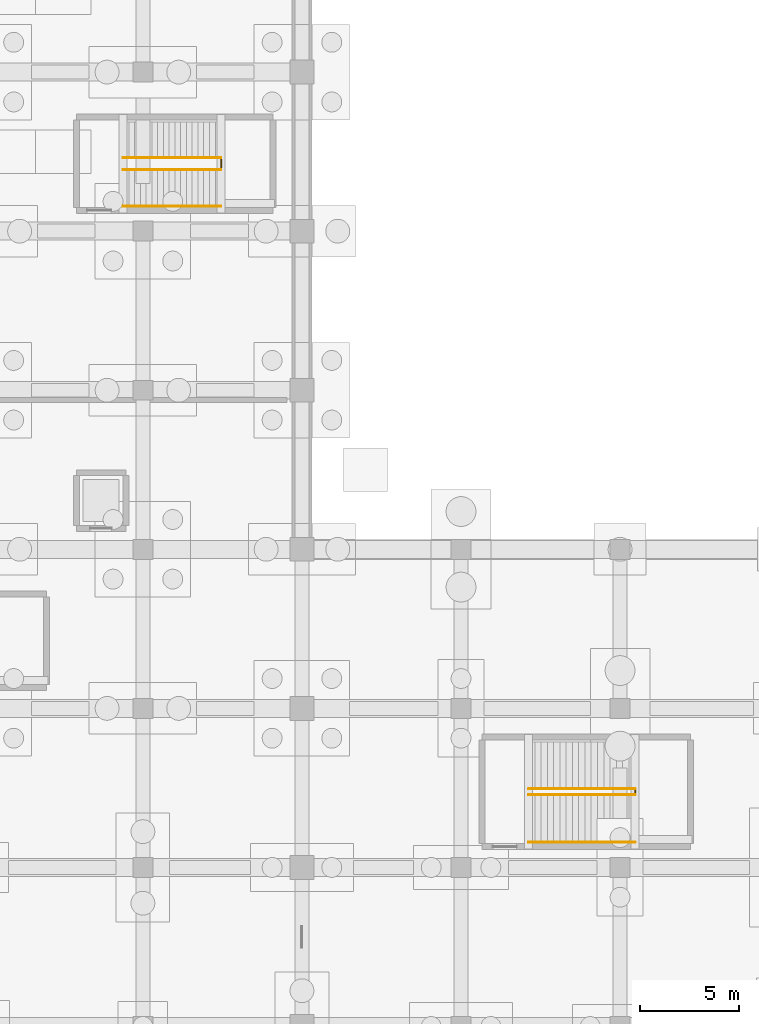
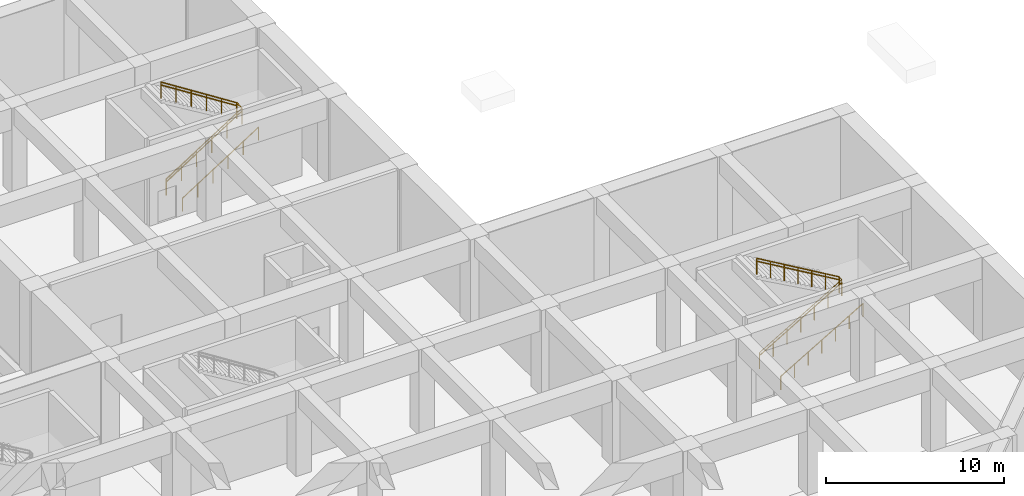
# One storey, part 25 of 26: 10 railings.
"""IFC4 building model written with IfcOpenShell, lengths in metres."""

from ifc_helpers import new_model, si_unit, direction, frame, origin, origin_2d, place, context, subcontext, project, spatial, circle, extrude, material, type_object, element, save


model = new_model("IFC4")

# Units and contexts
model_context = context("Model", 3, precision=1e-05, world=origin(), true_north=direction((0.0, 1.0)))
body_context = subcontext(model_context, "Body", "Model", "MODEL_VIEW")
ifc_project = project(units=[si_unit("LENGTHUNIT", "METRE"), si_unit("AREAUNIT", "SQUARE_METRE"), si_unit("VOLUMEUNIT", "CUBIC_METRE"), si_unit("PLANEANGLEUNIT", "RADIAN"), si_unit("MASSUNIT", "GRAM", prefix="KILO")], contexts=[model_context])

# Site, building, storey
site_placement = place(None, origin())
site = spatial("IfcSite", under=ifc_project, at=site_placement, CompositionType="ELEMENT")
building_placement = place(site_placement, origin())
building = spatial("IfcBuilding", under=site, at=building_placement, Name="Varnela Railside Interchange", CompositionType="ELEMENT")
storey_placement = place(building_placement, frame((0.0, 0.0, -12.60009765625)))
storey = spatial("IfcBuildingStorey", under=building, at=storey_placement, Name="B2", CompositionType="ELEMENT", Elevation=-12.60009765625)

# Railings
ifc_material = material(Name="Steel AR 350 (350 MPa)", Category="steel")
railing_type_1 = type_object("IfcRailingType", Name="Stair & Ramp Pitch Handrail HR-01", PredefinedType="HANDRAIL", material=ifc_material)
railing_1_placement = place(storey_placement, frame((131.0, 81.10009765625, 0.0)))
element("IfcRailing", 1, at=railing_1_placement, inside=storey, type_object=railing_type_1, Name="Stair Handrail ST-E2 Flight 1 (RL-0045)", PredefinedType="HANDRAIL", context=body_context, shape_type="SweptSolid", body=[
    extrude(circle(Radius=0.02392578125, at=origin_2d()), frame((0.0, 0.0, 0.89599609375), z_axis=(0.842659969685, 0.0, 0.538446074821), x_axis=(0.0, 1.0, 0.0)), (0.0, 0.0, 1.0), 5.850341796875),
    extrude(circle(Radius=0.02099609375, at=origin_2d()), origin(), (0.0, 0.0, 1.0), 0.871826171875),
    extrude(circle(Radius=0.02099609375, at=origin_2d()), frame((0.986083984375, 0.0, 0.630126953125)), (0.0, 0.0, 1.0), 0.871826171875),
    extrude(circle(Radius=0.02099609375, at=origin_2d()), frame((1.971923828125, 0.0, 1.260009765625)), (0.0, 0.0, 1.0), 0.871826171875),
    extrude(circle(Radius=0.02099609375, at=origin_2d()), frame((2.9580078125, 0.0, 1.89013671875)), (0.0, 0.0, 1.0), 0.871826171875),
    extrude(circle(Radius=0.02099609375, at=origin_2d()), frame((3.94384765625, 0.0, 2.52001953125)), (0.0, 0.0, 1.0), 0.871826171875),
    extrude(circle(Radius=0.02099609375, at=origin_2d()), frame((4.929931640625, 0.0, 3.150146484375)), (0.0, 0.0, 1.0), 0.871826171875),
])
railing_2_placement = place(storey_placement, frame((135.929931640625, 81.699951171875, 3.150146484375)))
element("IfcRailing", 2, at=railing_2_placement, inside=storey, type_object=railing_type_1, Name="Stair Handrail ST-E2 Flight 2 (RL-0046)", PredefinedType="HANDRAIL", context=body_context, shape_type="SweptSolid", body=[
    extrude(circle(Radius=0.02392578125, at=origin_2d()), frame((0.0, 0.0, 0.89599609375), z_axis=(-0.842678903752, 0.0, 0.538416442144), x_axis=(0.0, -1.0, 0.0)), (0.0, 0.0, 1.0), 5.850341796875),
    extrude(circle(Radius=0.02099609375, at=origin_2d()), origin(), (0.0, 0.0, 1.0), 0.871826171875),
    extrude(circle(Radius=0.02099609375, at=origin_2d()), frame((-0.986083984375, 0.0, 0.6298828125)), (0.0, 0.0, 1.0), 0.871826171875),
    extrude(circle(Radius=0.02099609375, at=origin_2d()), frame((-1.971923828125, 0.0, 1.260009765625)), (0.0, 0.0, 1.0), 0.871826171875),
    extrude(circle(Radius=0.02099609375, at=origin_2d()), frame((-2.9580078125, 0.0, 1.889892578125)), (0.0, 0.0, 1.0), 0.871826171875),
    extrude(circle(Radius=0.02099609375, at=origin_2d()), frame((-3.94384765625, 0.0, 2.52001953125)), (0.0, 0.0, 1.0), 0.871826171875),
    extrude(circle(Radius=0.02099609375, at=origin_2d()), frame((-4.929931640625, 0.0, 3.14990234375)), (0.0, 0.0, 1.0), 0.871826171875),
])
railing_3_placement = place(storey_placement, frame((151.39990234375, 49.64990234375, 0.0)))
element("IfcRailing", 3, at=railing_3_placement, inside=storey, type_object=railing_type_1, Name="Stair Handrail ST-E3 Flight 1 (RL-0047)", PredefinedType="HANDRAIL", context=body_context, shape_type="SweptSolid", body=[
    extrude(circle(Radius=0.02392578125, at=origin_2d()), frame((0.0, 0.0, 0.89599609375), z_axis=(0.861923102912, 0.0, 0.507039016908), x_axis=(0.0, 1.0, 0.0)), (0.0, 0.0, 1.0), 6.212890625),
    extrude(circle(Radius=0.02099609375, at=origin_2d()), origin(), (0.0, 0.0, 1.0), 0.871826171875),
    extrude(circle(Radius=0.02099609375, at=origin_2d()), frame((0.892578125, 0.0, 0.52490234375)), (0.0, 0.0, 1.0), 0.871826171875),
    extrude(circle(Radius=0.02099609375, at=origin_2d()), frame((1.784912109375, 0.0, 1.050048828125)), (0.0, 0.0, 1.0), 0.871826171875),
    extrude(circle(Radius=0.02099609375, at=origin_2d()), frame((2.677490234375, 0.0, 1.5751953125)), (0.0, 0.0, 1.0), 0.871826171875),
    extrude(circle(Radius=0.02099609375, at=origin_2d()), frame((3.570068359375, 0.0, 2.10009765625)), (0.0, 0.0, 1.0), 0.871826171875),
    extrude(circle(Radius=0.02099609375, at=origin_2d()), frame((4.46240234375, 0.0, 2.625)), (0.0, 0.0, 1.0), 0.871826171875),
    extrude(circle(Radius=0.02099609375, at=origin_2d()), frame((5.35498046875, 0.0, 3.150146484375)), (0.0, 0.0, 1.0), 0.871826171875),
])
railing_4_placement = place(storey_placement, frame((156.7548828125, 49.949951171875, 3.150146484375)))
element("IfcRailing", 4, at=railing_4_placement, inside=storey, type_object=railing_type_1, Name="Stair Handrail ST-E3 Flight 2 (RL-0048)", PredefinedType="HANDRAIL", context=body_context, shape_type="SweptSolid", body=[
    extrude(circle(Radius=0.02392578125, at=origin_2d()), frame((0.0, 0.0, 0.89599609375), z_axis=(-0.861940276329, 0.0, 0.507009822431), x_axis=(0.0, -1.0, 0.0)), (0.0, 0.0, 1.0), 6.212646484375),
    extrude(circle(Radius=0.02099609375, at=origin_2d()), origin(), (0.0, 0.0, 1.0), 0.871826171875),
    extrude(circle(Radius=0.02099609375, at=origin_2d()), frame((-0.892578125, 0.0, 0.52490234375)), (0.0, 0.0, 1.0), 0.871826171875),
    extrude(circle(Radius=0.02099609375, at=origin_2d()), frame((-1.784912109375, 0.0, 1.050048828125)), (0.0, 0.0, 1.0), 0.871826171875),
    extrude(circle(Radius=0.02099609375, at=origin_2d()), frame((-2.677490234375, 0.0, 1.574951171875)), (0.0, 0.0, 1.0), 0.871826171875),
    extrude(circle(Radius=0.02099609375, at=origin_2d()), frame((-3.570068359375, 0.0, 2.099853515625)), (0.0, 0.0, 1.0), 0.871826171875),
    extrude(circle(Radius=0.02099609375, at=origin_2d()), frame((-4.46240234375, 0.0, 2.625)), (0.0, 0.0, 1.0), 0.871826171875),
    extrude(circle(Radius=0.02099609375, at=origin_2d()), frame((-5.35498046875, 0.0, 3.14990234375)), (0.0, 0.0, 1.0), 0.871826171875),
])
railing_type_2 = type_object("IfcRailingType", Name="Stair Well & Landing Guard GR-02", PredefinedType="GUARDRAIL", material=ifc_material)
railing_5_placement = place(storey_placement, frame((131.0, 81.10009765625, 0.0)))
element("IfcRailing", 5, at=railing_5_placement, inside=storey, type_object=railing_type_2, Name="Stair Guard ST-E2 Half-Landing (RL-0011)", PredefinedType="GUARDRAIL", context=body_context, shape_type="SweptSolid", body=[
    extrude(circle(Radius=0.02392578125, at=origin_2d()), frame((0.0, 0.0, 1.09619140625), z_axis=(0.842659969685, 0.0, 0.538446074821), x_axis=(0.0, 1.0, 0.0)), (0.0, 0.0, 1.0), 5.850341796875),
    extrude(circle(Radius=0.02392578125, at=origin_2d()), frame((4.929931640625, 0.0, 4.24609375), z_axis=(0.0, 1.0, 0.0), x_axis=(-1.0, 0.0, 0.0)), (0.0, 0.0, 1.0), 0.599853515625),
    extrude(circle(Radius=0.02099609375, at=origin_2d()), origin(), (0.0, 0.0, 1.0), 1.072021484375),
    extrude(circle(Radius=0.02099609375, at=origin_2d()), frame((0.986083984375, 0.0, 0.630126953125)), (0.0, 0.0, 1.0), 1.072021484375),
    extrude(circle(Radius=0.02099609375, at=origin_2d()), frame((1.971923828125, 0.0, 1.260009765625)), (0.0, 0.0, 1.0), 1.072021484375),
    extrude(circle(Radius=0.02099609375, at=origin_2d()), frame((2.9580078125, 0.0, 1.89013671875)), (0.0, 0.0, 1.0), 1.072021484375),
    extrude(circle(Radius=0.02099609375, at=origin_2d()), frame((3.94384765625, 0.0, 2.52001953125)), (0.0, 0.0, 1.0), 1.072021484375),
    extrude(circle(Radius=0.02099609375, at=origin_2d()), frame((4.929931640625, 0.0, 3.150146484375)), (0.0, 0.0, 1.0), 1.072021484375),
    extrude(circle(Radius=0.02099609375, at=origin_2d()), frame((4.929931640625, 0.599853515625, 3.150146484375)), (0.0, 0.0, 1.0), 1.072021484375),
])
railing_6_placement = place(storey_placement, frame((135.929931640625, 81.699951171875, 3.150146484375)))
element("IfcRailing", 6, at=railing_6_placement, inside=storey, type_object=railing_type_2, Name="Stair Guard ST-E2 Upper Flight (RL-0012)", PredefinedType="GUARDRAIL", context=body_context, shape_type="SweptSolid", body=[
    extrude(circle(Radius=0.02392578125, at=origin_2d()), frame((0.0, 0.0, 1.09619140625), z_axis=(-0.842678903752, 0.0, 0.538416442144), x_axis=(0.0, -1.0, 0.0)), (0.0, 0.0, 1.0), 5.850341796875),
    extrude(circle(Radius=0.02099609375, at=origin_2d()), origin(), (0.0, 0.0, 1.0), 1.072021484375),
    extrude(circle(Radius=0.02099609375, at=origin_2d()), frame((-0.986083984375, 0.0, 0.6298828125)), (0.0, 0.0, 1.0), 1.072021484375),
    extrude(circle(Radius=0.02099609375, at=origin_2d()), frame((-1.971923828125, 0.0, 1.260009765625)), (0.0, 0.0, 1.0), 1.072021484375),
    extrude(circle(Radius=0.02099609375, at=origin_2d()), frame((-2.9580078125, 0.0, 1.889892578125)), (0.0, 0.0, 1.0), 1.072021484375),
    extrude(circle(Radius=0.02099609375, at=origin_2d()), frame((-3.94384765625, 0.0, 2.52001953125)), (0.0, 0.0, 1.0), 1.072021484375),
    extrude(circle(Radius=0.02099609375, at=origin_2d()), frame((-4.929931640625, 0.0, 3.14990234375)), (0.0, 0.0, 1.0), 1.072021484375),
])
railing_7_placement = place(storey_placement, frame((151.39990234375, 49.64990234375, 0.0)))
element("IfcRailing", 7, at=railing_7_placement, inside=storey, type_object=railing_type_2, Name="Stair Guard ST-E3 Half-Landing (RL-0013)", PredefinedType="GUARDRAIL", context=body_context, shape_type="SweptSolid", body=[
    extrude(circle(Radius=0.02392578125, at=origin_2d()), frame((0.0, 0.0, 1.09619140625), z_axis=(0.861923102912, 0.0, 0.507039016908), x_axis=(0.0, 1.0, 0.0)), (0.0, 0.0, 1.0), 6.212890625),
    extrude(circle(Radius=0.02392578125, at=origin_2d()), frame((5.35498046875, 0.0, 4.24609375), z_axis=(0.0, 1.0, 0.0), x_axis=(-1.0, 0.0, 0.0)), (0.0, 0.0, 1.0), 0.300048828125),
    extrude(circle(Radius=0.02099609375, at=origin_2d()), origin(), (0.0, 0.0, 1.0), 1.072021484375),
    extrude(circle(Radius=0.02099609375, at=origin_2d()), frame((0.892578125, 0.0, 0.52490234375)), (0.0, 0.0, 1.0), 1.072021484375),
    extrude(circle(Radius=0.02099609375, at=origin_2d()), frame((1.784912109375, 0.0, 1.050048828125)), (0.0, 0.0, 1.0), 1.072021484375),
    extrude(circle(Radius=0.02099609375, at=origin_2d()), frame((2.677490234375, 0.0, 1.5751953125)), (0.0, 0.0, 1.0), 1.072021484375),
    extrude(circle(Radius=0.02099609375, at=origin_2d()), frame((3.570068359375, 0.0, 2.10009765625)), (0.0, 0.0, 1.0), 1.072021484375),
    extrude(circle(Radius=0.02099609375, at=origin_2d()), frame((4.46240234375, 0.0, 2.625)), (0.0, 0.0, 1.0), 1.072021484375),
    extrude(circle(Radius=0.02099609375, at=origin_2d()), frame((5.35498046875, 0.0, 3.150146484375)), (0.0, 0.0, 1.0), 1.072021484375),
    extrude(circle(Radius=0.02099609375, at=origin_2d()), frame((5.35498046875, 0.300048828125, 3.150146484375)), (0.0, 0.0, 1.0), 1.072021484375),
])
railing_8_placement = place(storey_placement, frame((156.7548828125, 49.949951171875, 3.150146484375)))
element("IfcRailing", 8, at=railing_8_placement, inside=storey, type_object=railing_type_2, Name="Stair Guard ST-E3 Upper Flight (RL-0014)", PredefinedType="GUARDRAIL", context=body_context, shape_type="SweptSolid", body=[
    extrude(circle(Radius=0.02392578125, at=origin_2d()), frame((0.0, 0.0, 1.09619140625), z_axis=(-0.861940276329, 0.0, 0.507009822431), x_axis=(0.0, -1.0, 0.0)), (0.0, 0.0, 1.0), 6.212646484375),
    extrude(circle(Radius=0.02099609375, at=origin_2d()), origin(), (0.0, 0.0, 1.0), 1.072021484375),
    extrude(circle(Radius=0.02099609375, at=origin_2d()), frame((-0.892578125, 0.0, 0.52490234375)), (0.0, 0.0, 1.0), 1.072021484375),
    extrude(circle(Radius=0.02099609375, at=origin_2d()), frame((-1.784912109375, 0.0, 1.050048828125)), (0.0, 0.0, 1.0), 1.072021484375),
    extrude(circle(Radius=0.02099609375, at=origin_2d()), frame((-2.677490234375, 0.0, 1.574951171875)), (0.0, 0.0, 1.0), 1.072021484375),
    extrude(circle(Radius=0.02099609375, at=origin_2d()), frame((-3.570068359375, 0.0, 2.099853515625)), (0.0, 0.0, 1.0), 1.072021484375),
    extrude(circle(Radius=0.02099609375, at=origin_2d()), frame((-4.46240234375, 0.0, 2.625)), (0.0, 0.0, 1.0), 1.072021484375),
    extrude(circle(Radius=0.02099609375, at=origin_2d()), frame((-5.35498046875, 0.0, 3.14990234375)), (0.0, 0.0, 1.0), 1.072021484375),
])
railing_type_3 = type_object("IfcRailingType", Name="Wall-Mounted Stair Handrail HR-02", PredefinedType="HANDRAIL", material=ifc_material)
railing_9_placement = place(storey_placement, frame((131.0, 79.260009765625, 0.0)))
element("IfcRailing", 9, at=railing_9_placement, inside=storey, type_object=railing_type_3, Name="Wall Handrail ST-E2 Flight 1 (RL-0071)", PredefinedType="HANDRAIL", context=body_context, shape_type="SweptSolid", body=[
    extrude(circle(Radius=0.02392578125, at=origin_2d()), frame((0.0, 0.0, 0.89599609375), z_axis=(0.842659969685, 0.0, 0.538446074821), x_axis=(0.0, 1.0, 0.0)), (0.0, 0.0, 1.0), 5.850341796875),
    extrude(circle(Radius=0.02099609375, at=origin_2d()), origin(), (0.0, 0.0, 1.0), 0.871826171875),
    extrude(circle(Radius=0.02099609375, at=origin_2d()), frame((0.986083984375, 0.0, 0.630126953125)), (0.0, 0.0, 1.0), 0.871826171875),
    extrude(circle(Radius=0.02099609375, at=origin_2d()), frame((1.971923828125, 0.0, 1.260009765625)), (0.0, 0.0, 1.0), 0.871826171875),
    extrude(circle(Radius=0.02099609375, at=origin_2d()), frame((2.9580078125, 0.0, 1.89013671875)), (0.0, 0.0, 1.0), 0.871826171875),
    extrude(circle(Radius=0.02099609375, at=origin_2d()), frame((3.94384765625, 0.0, 2.52001953125)), (0.0, 0.0, 1.0), 0.871826171875),
    extrude(circle(Radius=0.02099609375, at=origin_2d()), frame((4.929931640625, 0.0, 3.150146484375)), (0.0, 0.0, 1.0), 0.871826171875),
])
railing_10_placement = place(storey_placement, frame((151.39990234375, 47.260009765625, 0.0)))
element("IfcRailing", 10, at=railing_10_placement, inside=storey, type_object=railing_type_3, Name="Wall Handrail ST-E3 Flight 1 (RL-0072)", PredefinedType="HANDRAIL", context=body_context, shape_type="SweptSolid", body=[
    extrude(circle(Radius=0.02392578125, at=origin_2d()), frame((0.0, 0.0, 0.89599609375), z_axis=(0.861923102912, 0.0, 0.507039016908), x_axis=(0.0, 1.0, 0.0)), (0.0, 0.0, 1.0), 6.212890625),
    extrude(circle(Radius=0.02099609375, at=origin_2d()), origin(), (0.0, 0.0, 1.0), 0.871826171875),
    extrude(circle(Radius=0.02099609375, at=origin_2d()), frame((0.892578125, 0.0, 0.52490234375)), (0.0, 0.0, 1.0), 0.871826171875),
    extrude(circle(Radius=0.02099609375, at=origin_2d()), frame((1.784912109375, 0.0, 1.050048828125)), (0.0, 0.0, 1.0), 0.871826171875),
    extrude(circle(Radius=0.02099609375, at=origin_2d()), frame((2.677490234375, 0.0, 1.5751953125)), (0.0, 0.0, 1.0), 0.871826171875),
    extrude(circle(Radius=0.02099609375, at=origin_2d()), frame((3.570068359375, 0.0, 2.10009765625)), (0.0, 0.0, 1.0), 0.871826171875),
    extrude(circle(Radius=0.02099609375, at=origin_2d()), frame((4.46240234375, 0.0, 2.625)), (0.0, 0.0, 1.0), 0.871826171875),
    extrude(circle(Radius=0.02099609375, at=origin_2d()), frame((5.35498046875, 0.0, 3.150146484375)), (0.0, 0.0, 1.0), 0.871826171875),
])

save(model, "model.ifc")
